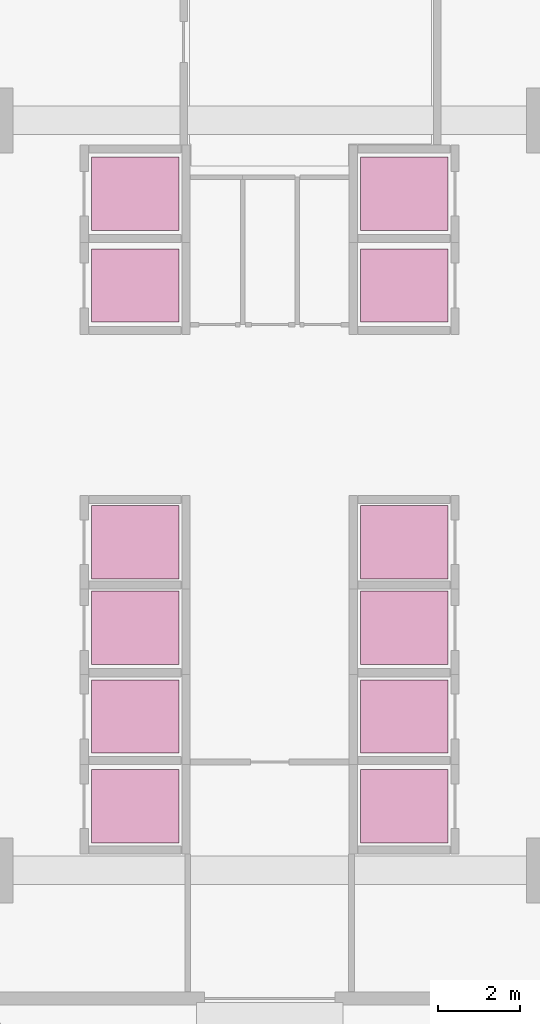
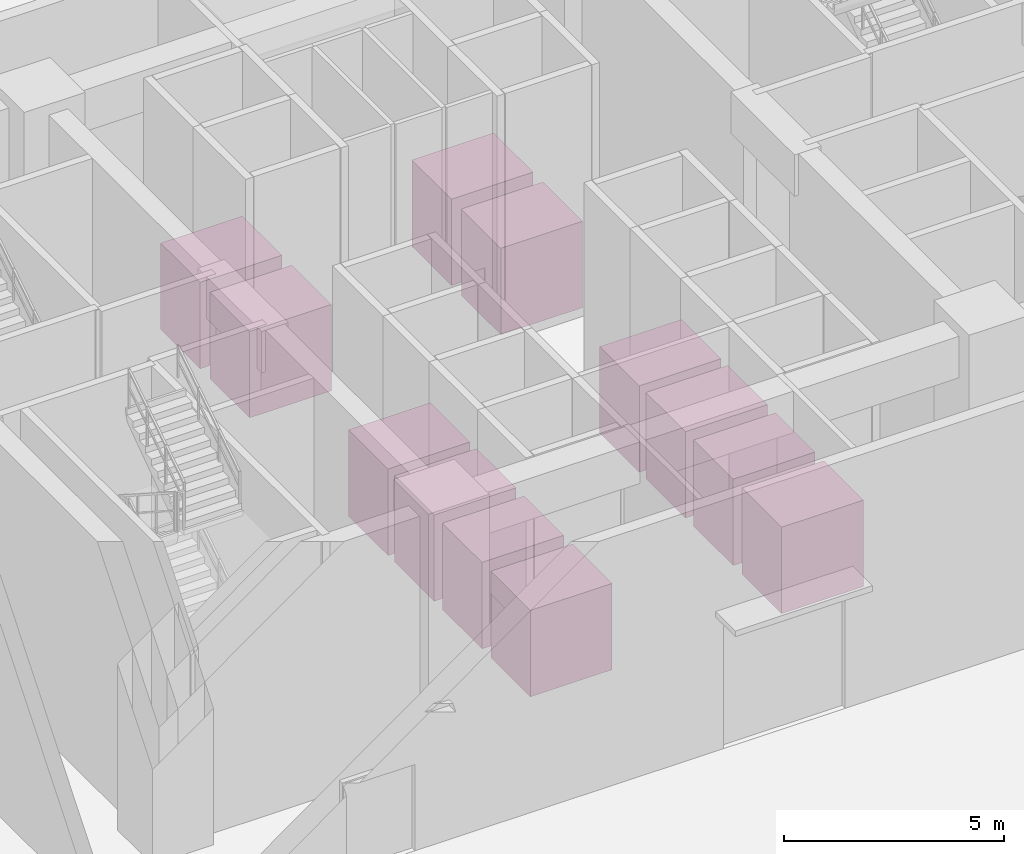
# One storey, part 10 of 10: 12 transport elements.
"""IFC4 building model written with IfcOpenShell, lengths in metres."""

from ifc_helpers import new_model, si_unit, direction, frame, origin, origin_2d, place, context, subcontext, project, spatial, rectangle, extrude, source, transform, mapped, material, type_object, element, save


model = new_model("IFC4")

# Units and contexts
model_context = context("Model", 3, precision=1e-05, world=origin(), true_north=direction((0.0, 1.0)))
body_context = subcontext(model_context, "Body", "Model", "MODEL_VIEW")
ifc_project = project(units=[si_unit("LENGTHUNIT", "METRE"), si_unit("AREAUNIT", "SQUARE_METRE"), si_unit("VOLUMEUNIT", "CUBIC_METRE"), si_unit("PLANEANGLEUNIT", "RADIAN"), si_unit("MASSUNIT", "GRAM", prefix="KILO")], contexts=[model_context])

# Site, building, storey
site_placement = place(None, origin())
site = spatial("IfcSite", under=ifc_project, at=site_placement, CompositionType="ELEMENT")
building_placement = place(site_placement, origin())
building = spatial("IfcBuilding", under=site, at=building_placement, Name="Zahravan Cultural Tower", CompositionType="ELEMENT")
storey_placement = place(building_placement, origin())
storey = spatial("IfcBuildingStorey", under=building, at=storey_placement, Name="L00", CompositionType="ELEMENT", Elevation=0.0)

# Transport elements
ifc_material = material(Name="Steel ASTM A572 Grade 50", Category="steel")
transport_element_type_1 = type_object("IfcTransportElementType", Name="LFT-PAS-H", PredefinedType="ELEVATOR", material=ifc_material)
shared_shape = source(origin(), body_context, "Body", "SweptSolid", [
    extrude(rectangle(XDim=2.14990234375, YDim=1.800048828125, at=origin_2d()), origin(), (0.0, 0.0, 1.0), 2.39990234375),
])
for number, where, z_axis, x_axis, name in (
    (1, (32.699951171875, 34.39990234375, 0.0), (0.0, 0.0, 1.0), (1.0, 0.0, 0.0), "Elevator Car LP-H1"),
    (2, (32.699951171875, 32.14990234375, 0.0), (0.0, 0.0, 1.0), (1.0, 0.0, 0.0), "Elevator Car LP-H2"),
    (3, (39.300048828125, 34.39990234375, 0.0), (0.0, 0.0, 1.0), (1.0, 0.0, 0.0), "Elevator Car LP-H3"),
    (4, (39.300048828125, 32.14990234375, 0.0), (0.0, 0.0, 1.0), (1.0, 0.0, 0.0), "Elevator Car LP-H4"),
):
    element("IfcTransportElement", number, at=place(storey_placement, frame(where, z_axis=z_axis, x_axis=x_axis)), inside=storey, type_object=transport_element_type_1, Name=name, PredefinedType="ELEVATOR", context=body_context, shape_type="MappedRepresentation", body=[
        mapped(shared_shape, transform((0.0, 0.0, 0.0), x_axis=(1.0, 0.0, 0.0), y_axis=(0.0, 1.0, 0.0), z_axis=(0.0, 0.0, 1.0), scale=1.0)),
    ])
transport_element_type_2 = type_object("IfcTransportElementType", Name="LFT-PAS-M", PredefinedType="ELEVATOR", material=ifc_material)
for number, where, z_axis, x_axis, name in (
    (5, (32.699951171875, 21.574951171875, 0.0), (0.0, 0.0, 1.0), (1.0, 0.0, 0.0), "Elevator Car LP-M1"),
    (6, (32.699951171875, 19.375, 0.0), (0.0, 0.0, 1.0), (1.0, 0.0, 0.0), "Elevator Car LP-M2"),
    (7, (39.300048828125, 21.574951171875, 0.0), (0.0, 0.0, 1.0), (1.0, 0.0, 0.0), "Elevator Car LP-M3"),
    (8, (39.300048828125, 19.375, 0.0), (0.0, 0.0, 1.0), (1.0, 0.0, 0.0), "Elevator Car LP-M4"),
):
    element("IfcTransportElement", number, at=place(storey_placement, frame(where, z_axis=z_axis, x_axis=x_axis)), inside=storey, type_object=transport_element_type_2, Name=name, PredefinedType="ELEVATOR", context=body_context, shape_type="MappedRepresentation", body=[
        mapped(shared_shape, transform((0.0, 0.0, 0.0), x_axis=(1.0, 0.0, 0.0), y_axis=(0.0, 1.0, 0.0), z_axis=(0.0, 0.0, 1.0), scale=1.0)),
    ])
transport_element_type_3 = type_object("IfcTransportElementType", Name="LFT-PAS-L", PredefinedType="ELEVATOR", material=ifc_material)
for number, where, z_axis, x_axis, name in (
    (9, (32.699951171875, 25.85009765625, 0.0), (0.0, 0.0, 1.0), (1.0, 0.0, 0.0), "Elevator Car LP-L1"),
    (10, (32.699951171875, 23.75, 0.0), (0.0, 0.0, 1.0), (1.0, 0.0, 0.0), "Elevator Car LP-L2"),
    (11, (39.300048828125, 25.85009765625, 0.0), (0.0, 0.0, 1.0), (1.0, 0.0, 0.0), "Elevator Car LP-L3"),
    (12, (39.300048828125, 23.75, 0.0), (0.0, 0.0, 1.0), (1.0, 0.0, 0.0), "Elevator Car LP-L4"),
):
    element("IfcTransportElement", number, at=place(storey_placement, frame(where, z_axis=z_axis, x_axis=x_axis)), inside=storey, type_object=transport_element_type_3, Name=name, PredefinedType="ELEVATOR", context=body_context, shape_type="MappedRepresentation", body=[
        mapped(shared_shape, transform((0.0, 0.0, 0.0), x_axis=(1.0, 0.0, 0.0), y_axis=(0.0, 1.0, 0.0), z_axis=(0.0, 0.0, 1.0), scale=1.0)),
    ])

save(model, "model.ifc")
